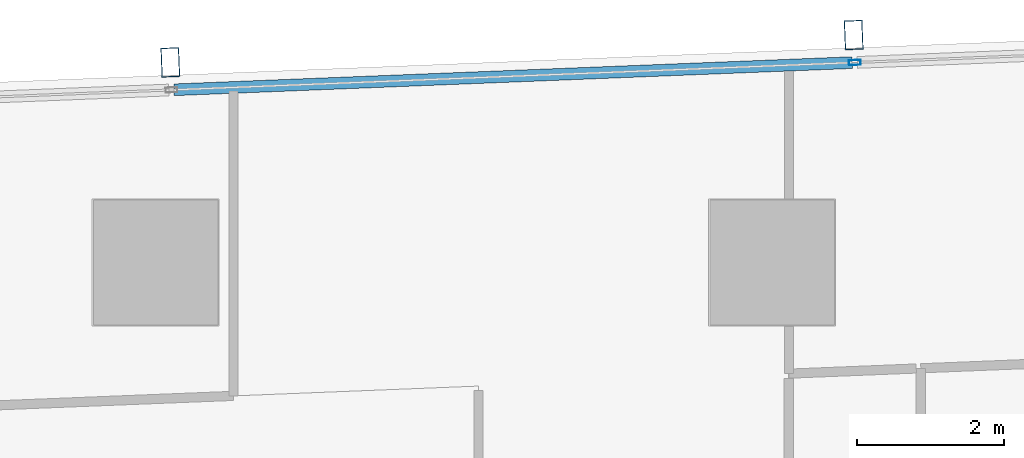
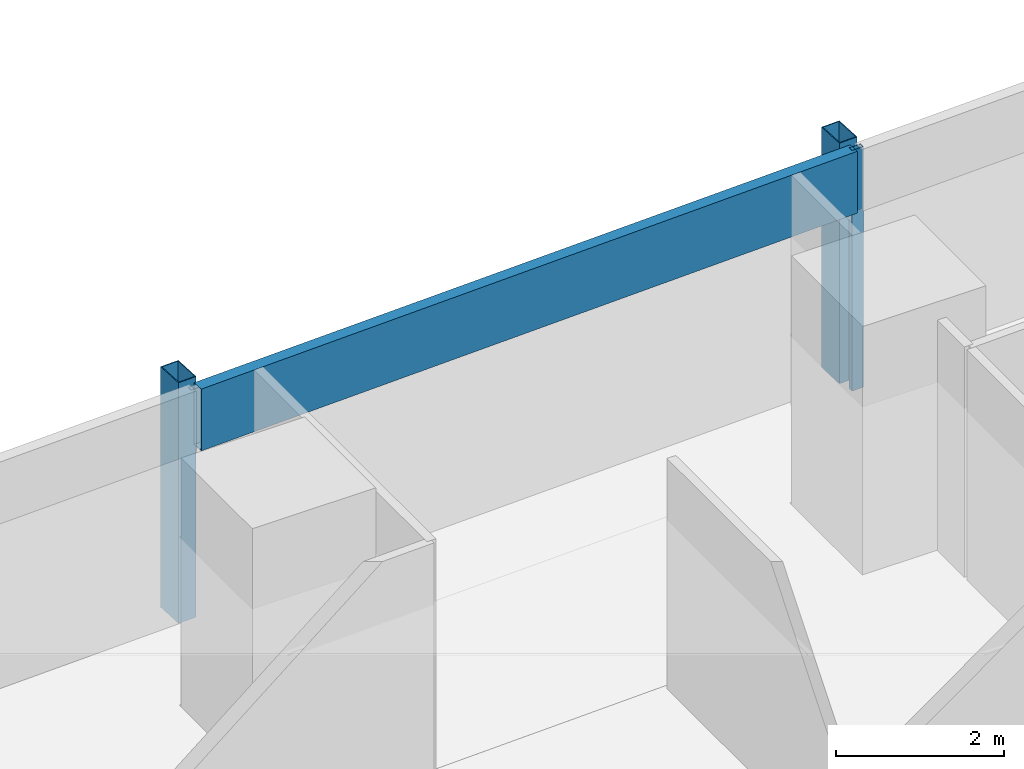
# One storey, part 17 of 40: 4 members, 1 element without a shape of its own.
"""IFC4 building model written with IfcOpenShell, lengths in metres."""

from ifc_helpers import new_model, si_unit, direction, frame, origin, origin_2d, place, context, subcontext, project, spatial, hollow_rectangle, extrude, material, material_profile, profile_set, type_object, element, aggregate, save


model = new_model("IFC4")

# Units and contexts
model_context = context("Model", 3, precision=1e-05, world=origin(), true_north=direction((0.0, 1.0)))
body_context = subcontext(model_context, "Body", "Model", "MODEL_VIEW")
ifc_project = project(units=[si_unit("LENGTHUNIT", "METRE"), si_unit("AREAUNIT", "SQUARE_METRE"), si_unit("VOLUMEUNIT", "CUBIC_METRE"), si_unit("PLANEANGLEUNIT", "RADIAN"), si_unit("MASSUNIT", "GRAM", prefix="KILO")], contexts=[model_context])

# Site, building, storey
site_placement = place(None, origin())
site = spatial("IfcSite", under=ifc_project, at=site_placement, CompositionType="ELEMENT")
building_placement = place(site_placement, origin())
building = spatial("IfcBuilding", under=site, at=building_placement, Name="Rekha Terrace Tower", CompositionType="ELEMENT")
storey_placement = place(building_placement, frame((0.0, 0.0, 125.300048828125)))
storey = spatial("IfcBuildingStorey", under=building, at=storey_placement, Name="L31", CompositionType="ELEMENT", Elevation=125.300048828125)

# Curtain wall, members
ifc_material_1 = material(Name="Aluminium framing", Category="aluminium")
curtain_wall_type = type_object("IfcCurtainWallType", Name="CW3 north unitised glazing", PredefinedType="USERDEFINED", material=ifc_material_1)
curtain_wall_placement = place(storey_placement, origin())
curtain_wall = element("IfcCurtainWall", 1, at=curtain_wall_placement, inside=storey, type_object=curtain_wall_type, Name="CW3 unitised curtain wall", ObjectType="UNITISED CURTAIN WALL", PredefinedType="USERDEFINED")
ifc_material_2 = material(Name="Steel S355 with fluorocarbon finish", Category="steel")
ifc_material_profile_1 = material_profile(ifc_material_2, hollow_rectangle(XDim=0.25, YDim=0.39990234375, WallThickness=0.012451171875, at=origin_2d()), Name="RHS400x250x12.5")
ifc_profile_set_1 = profile_set([ifc_material_profile_1], Name="Steel S355 with fluorocarbon finish")
member_type_1 = type_object("IfcMemberType", Name="BL1 facade blade RHS 400 x 250", PredefinedType="USERDEFINED", material=ifc_profile_set_1)
member_1_placement = place(storey_placement, frame((34.7109375, 61.9013671875, 0.0), z_axis=(0.0, 0.0, 1.0), x_axis=(-0.999198382632, -0.040032388711, 0.0)))
member_1 = element("IfcMember", 2, at=member_1_placement, type_object=member_type_1, Name="Facade blade", ObjectType="FACADE BLADE", PredefinedType="USERDEFINED", context=body_context, shape_type="SweptSolid", body=[
    extrude(hollow_rectangle(XDim=0.25, YDim=0.39990234375, WallThickness=0.012451171875, at=origin_2d()), origin(), (0.0, 0.0, 1.0), 3.5),
])
member_2_placement = place(storey_placement, frame((25.39892578125, 61.5283203125, 0.0), z_axis=(0.0, 0.0, 1.0), x_axis=(-0.999198382632, -0.040032388711, 0.0)))
member_2 = element("IfcMember", 3, at=member_2_placement, type_object=member_type_1, Name="Facade blade", ObjectType="FACADE BLADE", PredefinedType="USERDEFINED", context=body_context, shape_type="SweptSolid", body=[
    extrude(hollow_rectangle(XDim=0.25, YDim=0.39990234375, WallThickness=0.012451171875, at=origin_2d()), origin(), (0.0, 0.0, 1.0), 3.5),
])
ifc_material_3 = material(Name="Aluminium mullion section", Category="aluminium")
ifc_material_profile_2 = material_profile(ifc_material_3, hollow_rectangle(XDim=0.070068359375, YDim=0.159912109375, WallThickness=0.00390625, at=origin_2d()), Name="AL RHS 70x160")
ifc_profile_set_2 = profile_set([ifc_material_profile_2], Name="Aluminium mullion section")
member_type_2 = type_object("IfcMemberType", Name="CW3 mullion RHS 70 x 160", PredefinedType="MULLION", material=ifc_profile_set_2)
member_3_placement = place(storey_placement, frame((34.725830078125, 61.526611328125, 0.0), z_axis=(0.0, 0.0, 1.0), x_axis=(0.040031987119, -0.999198398721, 0.0)))
member_3 = element("IfcMember", 4, at=member_3_placement, type_object=member_type_2, Name="CW3 mullion 2", PredefinedType="MULLION", context=body_context, shape_type="SweptSolid", body=[
    extrude(hollow_rectangle(XDim=0.070068359375, YDim=0.159912109375, WallThickness=0.00390625, at=origin_2d()), origin(), (0.0, 0.0, 1.0), 3.5),
])
ifc_material_4 = material(Name="Insulated aluminium spandrel box", Category="aluminium")
ifc_material_profile_3 = material_profile(ifc_material_4, hollow_rectangle(XDim=0.159912109375, YDim=0.89990234375, WallThickness=0.0029296875, at=origin_2d()), Name="AL SPANDREL BOX 160x900")
ifc_profile_set_3 = profile_set([ifc_material_profile_3], Name="Insulated aluminium spandrel box")
member_type_3 = type_object("IfcMemberType", Name="CW3 spandrel transom 160 x 900", PredefinedType="USERDEFINED", material=ifc_profile_set_3)
member_4_placement = place(storey_placement, frame((34.69091796875, 61.525390625, 3.050048828125), z_axis=(-0.999198046754, -0.040040771263, 0.0), x_axis=(0.040040771263, -0.999198046754, 0.0)))
member_4 = element("IfcMember", 5, at=member_4_placement, type_object=member_type_3, Name="CW3 spandrel transom 2", ObjectType="TRANSOM", PredefinedType="USERDEFINED", context=body_context, shape_type="SweptSolid", body=[
    extrude(hollow_rectangle(XDim=0.159912109375, YDim=0.89990234375, WallThickness=0.0029296875, at=origin_2d()), origin(), (0.0, 0.0, 1.0), 9.24951171875),
])
aggregate(curtain_wall, [member_3, member_4, member_1, member_2])

save(model, "model.ifc")
